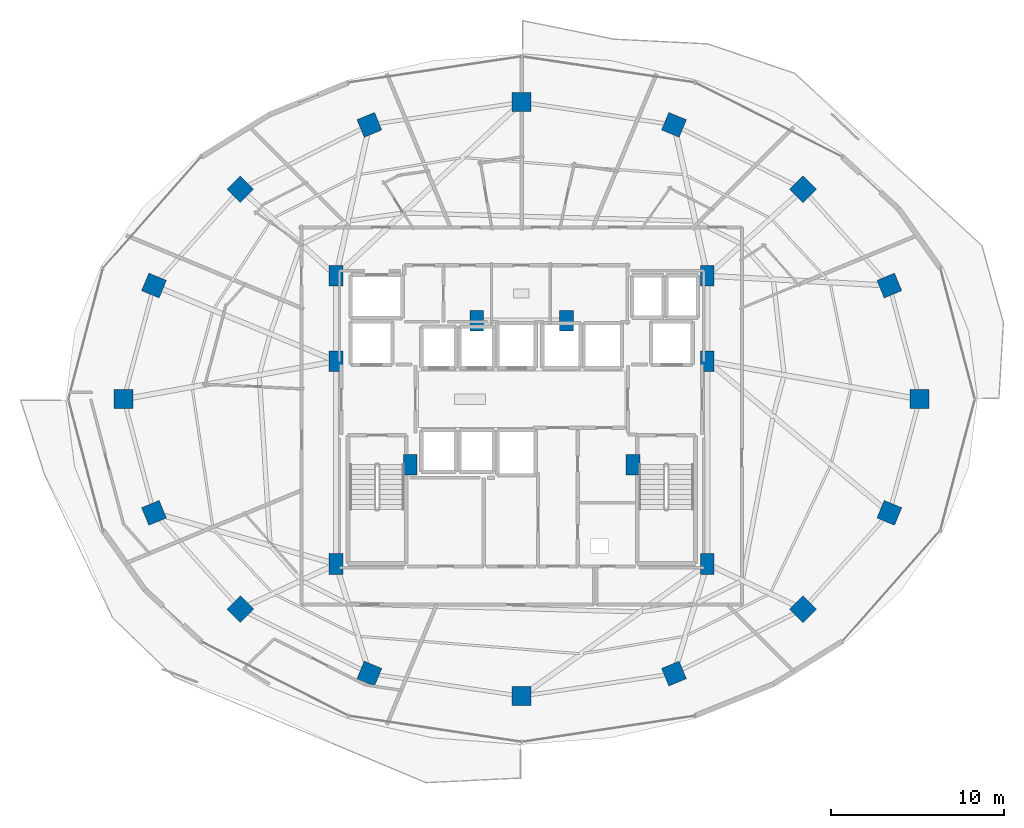
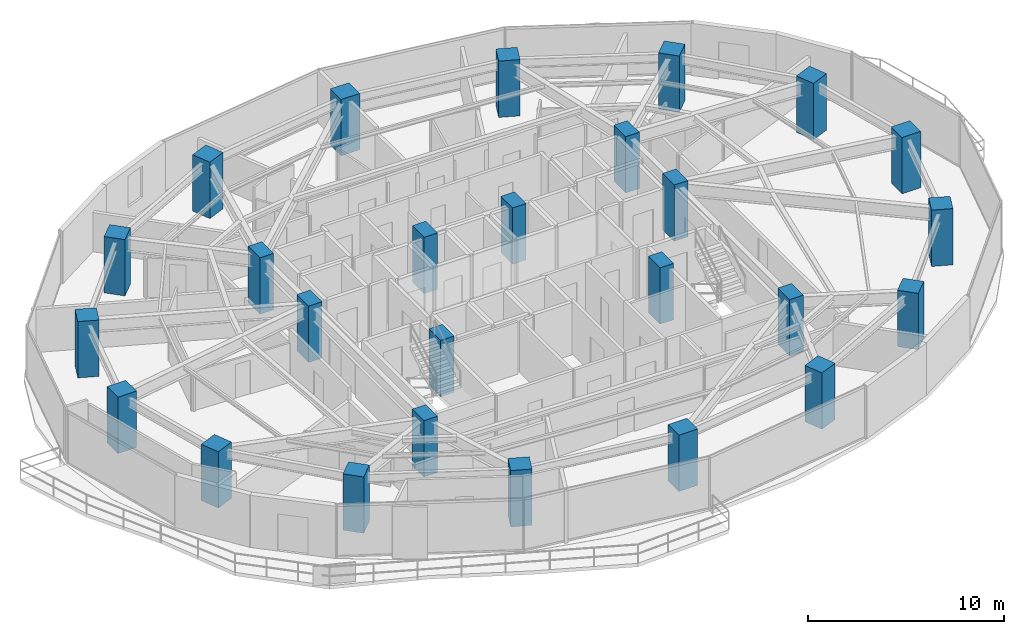
# One storey, part 1 of 30: 26 columns.
"""IFC4 building model written with IfcOpenShell, lengths in metres."""

import ifcopenshell
import ifcopenshell.guid

model = None  # the IFC model being written
_history = None  # IfcOwnerHistory: only IFC2X3 demands one
_inside = {}  # id of a spatial element -> (the spatial element, [elements in it])
_under = {}  # id of a project, library or spatial element -> (it, [spatial elements below it])
_declared = {}  # id of a project -> (the project, [libraries it declares])
_typed = {}  # id of a type object -> (the type object, [elements of that type])
_made_of = {}  # id of a material, layer set ... -> (it, [elements and type objects made of it])


def new_model(schema):
    """Start an empty IFC model of exactly this schema.

    Asked for "IFC4X3", IfcOpenShell would pick the latest addendum, in which some entities
    have other attributes; the version numbers below select the first issue.
    IFC2X3 requires an IfcOwnerHistory on every rooted entity: one is made here for all.
    """
    global model, _history
    if schema == "IFC4X3":
        model = ifcopenshell.file(schema_version=(4, 3, 0, 0))
    else:
        model = ifcopenshell.file(schema=schema)
    _inside.clear()
    _under.clear()
    _declared.clear()
    _typed.clear()
    _made_of.clear()
    _history = None
    if model.schema == "IFC2X3":
        org = make("IfcOrganization", Name="unknown")
        user = make(
            "IfcPersonAndOrganization",
            ThePerson=make("IfcPerson", FamilyName="unknown"),
            TheOrganization=org,
        )
        app = make(
            "IfcApplication",
            ApplicationDeveloper=org,
            Version="unknown",
            ApplicationFullName="unknown",
            ApplicationIdentifier="unknown",
        )
        _history = make(
            "IfcOwnerHistory",
            OwningUser=user,
            OwningApplication=app,
            ChangeAction="ADDED",
            CreationDate=0,
        )
    return model


def make(cls, **values):
    """One entity of the class cls with the attributes given. An attribute that is None is left unset."""
    return model.create_entity(
        cls, **{name: value for name, value in values.items() if value is not None}
    )


def rooted(cls, **values):
    """An entity with a GlobalId (a new one), such as an element, a storey or a relation."""
    return make(cls, GlobalId=ifcopenshell.guid.new(), OwnerHistory=_history, **values)


def si_unit(unit_type, name, prefix=None):
    """IfcSIUnit, for example si_unit("LENGTHUNIT", "METRE", prefix="MILLI")."""
    return make("IfcSIUnit", UnitType=unit_type, Prefix=prefix, Name=name)


def assignment(units):
    """IfcUnitAssignment: the units of a project."""
    return None if units is None else make("IfcUnitAssignment", Units=units)


def point(xyz):
    """IfcCartesianPoint."""
    return None if xyz is None else make("IfcCartesianPoint", Coordinates=xyz)


def direction(xyz):
    """IfcDirection."""
    return None if xyz is None else make("IfcDirection", DirectionRatios=xyz)


def frame(location, z_axis=None, x_axis=None):
    """IfcAxis2Placement3D, a coordinate frame: its origin and axes. An axis left out is left unset."""
    return make(
        "IfcAxis2Placement3D",
        Location=point(location),
        Axis=direction(z_axis),
        RefDirection=direction(x_axis),
    )


def frame_2d(location, x_axis=None):
    """IfcAxis2Placement2D, a coordinate frame in the plane: its origin and x axis."""
    return make(
        "IfcAxis2Placement2D", Location=point(location), RefDirection=direction(x_axis)
    )


def origin():
    """The frame at (0, 0, 0) with its axes left unset."""
    return frame((0.0, 0.0, 0.0))


def origin_2d():
    """The frame at (0, 0) in the plane with its x axis left unset."""
    return frame_2d((0.0, 0.0))


def place(relative_to, where):
    """IfcLocalPlacement: puts the frame where relative to a parent placement (None: the world)."""
    return make(
        "IfcLocalPlacement", PlacementRelTo=relative_to, RelativePlacement=where
    )


def context(
    kind, dimensions, precision=None, world=None, true_north=None, identifier=None
):
    """IfcGeometricRepresentationContext, for example the 3D "Model" context."""
    return make(
        "IfcGeometricRepresentationContext",
        ContextIdentifier=identifier,
        ContextType=kind,
        CoordinateSpaceDimension=dimensions,
        Precision=precision,
        WorldCoordinateSystem=world,
        TrueNorth=true_north,
    )


def subcontext(parent, identifier, kind, view, scale=None):
    """IfcGeometricRepresentationSubContext, for example "Body" below "Model"."""
    return make(
        "IfcGeometricRepresentationSubContext",
        ContextIdentifier=identifier,
        ContextType=kind,
        ParentContext=parent,
        TargetScale=scale,
        TargetView=view,
    )


def project(units=None, contexts=None):
    """IfcProject with its units and contexts."""
    return rooted(
        "IfcProject",
        Name="project",
        RepresentationContexts=contexts,
        UnitsInContext=assignment(units),
    )


def spatial(cls, under=None, at=None, **own):
    """A site, building, storey or space (cls), placed at a placement, below another one or the project."""
    s = rooted(cls, ObjectPlacement=at, **own)
    if under is not None:
        _under.setdefault(under.id(), (under, []))[1].append(s)
    return s


def profile(cls, at=None, kind="AREA", **sizes):
    """A parametric profile (cls). Its sizes go by their IFC names, for example OverallWidth=200.0."""
    return make(cls, ProfileType=kind, Position=at, **sizes)


def rectangle(**sizes):
    """IfcRectangleProfileDef."""
    return profile("IfcRectangleProfileDef", **sizes)


def extrude(swept, where, along, depth):
    """IfcExtrudedAreaSolid: the profile swept, set in the frame where, extruded along a direction by depth."""
    return make(
        "IfcExtrudedAreaSolid",
        SweptArea=swept,
        Position=where,
        ExtrudedDirection=direction(along),
        Depth=depth,
    )


def shape(context_of_items, identifier, shape_type, items):
    """IfcShapeRepresentation: the items that make up one representation, for example the "Body"."""
    return make(
        "IfcShapeRepresentation",
        ContextOfItems=context_of_items,
        RepresentationIdentifier=identifier,
        RepresentationType=shape_type,
        Items=items,
    )


def material(Name=None, Category=None):
    """IfcMaterial."""
    return make("IfcMaterial", Name=Name, Category=Category)


def material_profile(
    of_material, cross_section, Name=None, Category=None, Priority=None
):
    """IfcMaterialProfile: a cross section and its material."""
    return make(
        "IfcMaterialProfile",
        Name=Name,
        Material=of_material,
        Profile=cross_section,
        Priority=Priority,
        Category=Category,
    )


def profile_set(profiles, Name=None, composite=None):
    """IfcMaterialProfileSet."""
    return make(
        "IfcMaterialProfileSet",
        Name=Name,
        MaterialProfiles=profiles,
        CompositeProfile=composite,
    )


def made_of(thing, what):
    """Note that an element or type object is made of a material, layer set ...; save() writes the relation."""
    if what is not None:
        _made_of.setdefault(what.id(), (what, []))[1].append(thing)
    return thing


def type_object(cls, material=None, **own):
    """A type object (cls), such as IfcWallType, which elements share."""
    return made_of(rooted(cls, **own), material)


def element(
    cls,
    number,
    at=None,
    inside=None,
    cuts=None,
    type_object=None,
    material=None,
    context=None,
    identifier="Body",
    shape_type=None,
    held_by="IfcProductDefinitionShape",
    body=None,
    shapes=None,
    **own,
):
    """One element of the class cls, such as IfcWall. Its Tag is "e" and its number.

    at: its placement. inside: the storey or other place that contains it. cuts: it is an
    opening in that element (IfcRelVoidsElement). A single representation is given by context,
    identifier, shape_type and body (its items); several are given by shapes. held_by: the class
    of the entity that holds the representations. save() writes the other relations.
    """
    e = rooted(cls, Tag="e%d" % number, ObjectPlacement=at, **own)
    if body is not None:
        shapes = [shape(context, identifier, shape_type, body)]
    if shapes is not None:
        e.Representation = make(held_by, Representations=shapes)
    if inside is not None:
        _inside.setdefault(inside.id(), (inside, []))[1].append(e)
    if cuts is not None:
        rooted(
            "IfcRelVoidsElement", RelatingBuildingElement=cuts, RelatedOpeningElement=e
        )
    if type_object is not None:
        _typed.setdefault(type_object.id(), (type_object, []))[1].append(e)
    return made_of(e, material)


def aggregate(whole, parts):
    """IfcRelAggregates: a whole, such as a stair, and the parts it consists of."""
    return rooted("IfcRelAggregates", RelatingObject=whole, RelatedObjects=parts)


def save(model, path):
    """Write the relations noted so far, then the file.

    IfcRelAggregates (storeys below a building ...), IfcRelContainedInSpatialStructure (elements
    in a storey), IfcRelDefinesByType, IfcRelAssociatesMaterial and IfcRelDeclares: one each for
    every whole, place, type object, material and project.
    """
    for whole, parts in _under.values():
        aggregate(whole, parts)
    for where, things in _inside.values():
        rooted(
            "IfcRelContainedInSpatialStructure",
            RelatedElements=things,
            RelatingStructure=where,
        )
    for kind, things in _typed.values():
        rooted("IfcRelDefinesByType", RelatedObjects=things, RelatingType=kind)
    for what, things in _made_of.values():
        rooted("IfcRelAssociatesMaterial", RelatedObjects=things, RelatingMaterial=what)
    for by, libraries in _declared.values():
        rooted("IfcRelDeclares", RelatingContext=by, RelatedDefinitions=libraries)
    model.write(path)


model = new_model("IFC4")

# Units and contexts
model_context = context("Model", 3, precision=1e-05, world=origin(), true_north=direction((0.0, 1.0)))
body_context = subcontext(model_context, "Body", "Model", "MODEL_VIEW")
ifc_project = project(units=[si_unit("LENGTHUNIT", "METRE"), si_unit("AREAUNIT", "SQUARE_METRE"), si_unit("VOLUMEUNIT", "CUBIC_METRE"), si_unit("PLANEANGLEUNIT", "RADIAN"), si_unit("MASSUNIT", "GRAM", prefix="KILO")], contexts=[model_context])

# Site, building, storey
site_placement = place(None, origin())
site = spatial("IfcSite", under=ifc_project, at=site_placement, CompositionType="ELEMENT")
building_placement = place(site_placement, origin())
building = spatial("IfcBuilding", under=site, at=building_placement, Name="Vorneva Point Tower", CompositionType="ELEMENT")
storey_placement = place(building_placement, frame((0.0, 0.0, 106.800048828125)))
storey = spatial("IfcBuildingStorey", under=building, at=storey_placement, Name="L28", CompositionType="ELEMENT", Elevation=106.800048828125)

# Columns
ifc_material = material(Name="Concrete B60 (C50/60)", Category="concrete")
ifc_material_profile_1 = material_profile(ifc_material, rectangle(XDim=1.10009765625, YDim=1.10009765625, at=origin_2d()), Name="RC-COL 1100x1100")
ifc_profile_set_1 = profile_set([ifc_material_profile_1], Name="Concrete B60 (C50/60)")
column_type_1 = type_object("IfcColumnType", Name="COL-RC1100", PredefinedType="COLUMN", material=ifc_profile_set_1)
for number, where, z_axis, x_axis, name in (
    (1, (61.050048828125, 26.0, 0.0), (0.0, 0.0, 1.0), (1.0, 0.0, 0.0), "L28 Perimeter Column P01"),
    (2, (59.29541015625, 32.582275390625, 0.0), (0.0, 0.0, 1.0), (0.923879532511, 0.382683432365, 0.0), "L28 Perimeter Column P02"),
    (3, (54.298828125, 38.162109375, 0.0), (0.0, 0.0, 1.0), (0.707106781187, 0.707106781187, 0.0), "L28 Perimeter Column P03"),
    (4, (46.82080078125, 41.890625, 0.0), (0.0, 0.0, 1.0), (0.382683432365, 0.923879532511, 0.0), "L28 Perimeter Column P04"),
    (5, (38.0, 43.199951171875, 0.0), (0.0, 0.0, 1.0), (0.0, 1.0, 0.0), "L28 Perimeter Column P05"),
    (6, (29.17919921875, 41.890625, 0.0), (0.0, 0.0, 1.0), (-0.382683432365, 0.923879532511, 0.0), "L28 Perimeter Column P06"),
    (7, (21.701171875, 38.162109375, 0.0), (0.0, 0.0, 1.0), (-0.707106781187, 0.707106781187, 0.0), "L28 Perimeter Column P07"),
    (8, (16.70458984375, 32.582275390625, 0.0), (0.0, 0.0, 1.0), (-0.923879532511, 0.382683432365, 0.0), "L28 Perimeter Column P08"),
    (9, (14.949951171875, 26.0, 0.0), (0.0, 0.0, 1.0), (-1.0, 0.0, 0.0), "L28 Perimeter Column P09"),
    (10, (16.70458984375, 19.417724609375, 0.0), (0.0, 0.0, 1.0), (-0.923879532511, -0.382683432365, 0.0), "L28 Perimeter Column P10"),
    (11, (21.701171875, 13.837890625, 0.0), (0.0, 0.0, 1.0), (-0.707106781187, -0.707106781187, 0.0), "L28 Perimeter Column P11"),
    (12, (29.17919921875, 10.109375, 0.0), (0.0, 0.0, 1.0), (-0.382683432365, -0.923879532511, 0.0), "L28 Perimeter Column P12"),
    (13, (38.0, 8.800048828125, 0.0), (0.0, 0.0, 1.0), (0.0, -1.0, 0.0), "L28 Perimeter Column P13"),
    (14, (46.82080078125, 10.109375, 0.0), (0.0, 0.0, 1.0), (0.382683432365, -0.923879532511, 0.0), "L28 Perimeter Column P14"),
    (15, (54.298828125, 13.837890625, 0.0), (0.0, 0.0, 1.0), (0.707106781187, -0.707106781187, 0.0), "L28 Perimeter Column P15"),
    (16, (59.29541015625, 19.417724609375, 0.0), (0.0, 0.0, 1.0), (0.923879532511, -0.382683432365, 0.0), "L28 Perimeter Column P16"),
):
    element("IfcColumn", number, at=place(storey_placement, frame(where, z_axis=z_axis, x_axis=x_axis)), inside=storey, type_object=column_type_1, Name=name, PredefinedType="COLUMN", context=body_context, shape_type="SweptSolid", body=[
        extrude(rectangle(XDim=1.10009765625, YDim=1.10009765625, at=origin_2d()), origin(), (0.0, 0.0, 1.0), 3.5),
    ])
ifc_material_profile_2 = material_profile(ifc_material, rectangle(XDim=0.800048828125, YDim=1.199951171875, at=origin_2d()), Name="RC-PIL 1200x800")
ifc_profile_set_2 = profile_set([ifc_material_profile_2], Name="Concrete B60 (C50/60)")
column_type_2 = type_object("IfcColumnType", Name="PIL-RC1200x800", PredefinedType="PILASTER", material=ifc_profile_set_2)
for number, where, z_axis, x_axis, name in (
    (17, (27.25, 16.449951171875, 0.0), (0.0, 0.0, 1.0), (1.0, 0.0, 0.0), "L28 Core Pilaster CP1"),
    (18, (27.25, 28.199951171875, 0.0), (0.0, 0.0, 1.0), (1.0, 0.0, 0.0), "L28 Core Pilaster CP2"),
    (19, (27.25, 33.14990234375, 0.0), (0.0, 0.0, 1.0), (1.0, 0.0, 0.0), "L28 Core Pilaster CP3"),
    (20, (31.550048828125, 22.199951171875, 0.0), (0.0, 0.0, 1.0), (1.0, 0.0, 0.0), "L28 Core Pilaster CP4"),
    (21, (48.75, 33.14990234375, 0.0), (0.0, 0.0, 1.0), (1.0, 0.0, 0.0), "L28 Core Pilaster CP5"),
    (22, (48.75, 28.199951171875, 0.0), (0.0, 0.0, 1.0), (1.0, 0.0, 0.0), "L28 Core Pilaster CP6"),
    (23, (48.75, 16.449951171875, 0.0), (0.0, 0.0, 1.0), (1.0, 0.0, 0.0), "L28 Core Pilaster CP7"),
    (24, (44.449951171875, 22.199951171875, 0.0), (0.0, 0.0, 1.0), (1.0, 0.0, 0.0), "L28 Core Pilaster CP8"),
    (25, (35.39990234375, 30.550048828125, 0.0), (0.0, 0.0, 1.0), (1.0, 0.0, 0.0), "L28 Core Pilaster CP9"),
    (26, (40.60009765625, 30.550048828125, 0.0), (0.0, 0.0, 1.0), (1.0, 0.0, 0.0), "L28 Core Pilaster CP10"),
):
    element("IfcColumn", number, at=place(storey_placement, frame(where, z_axis=z_axis, x_axis=x_axis)), inside=storey, type_object=column_type_2, Name=name, PredefinedType="PILASTER", context=body_context, shape_type="SweptSolid", body=[
        extrude(rectangle(XDim=0.800048828125, YDim=1.199951171875, at=origin_2d()), origin(), (0.0, 0.0, 1.0), 3.5),
    ])

save(model, "model.ifc")
